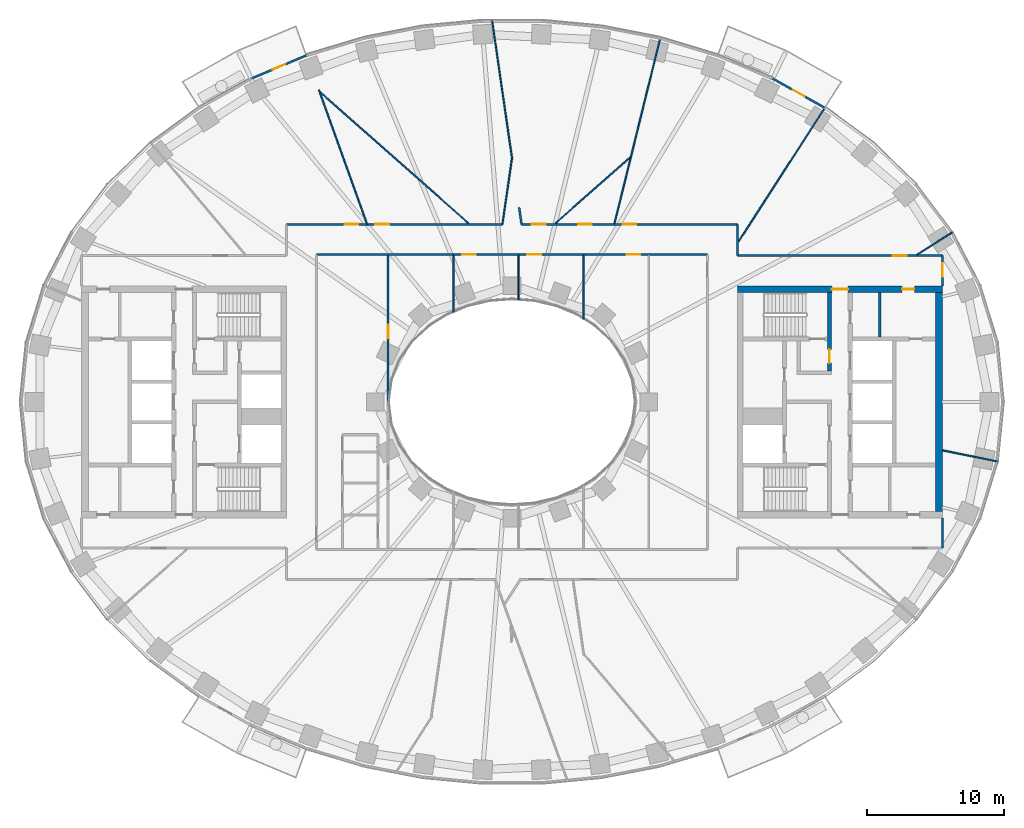
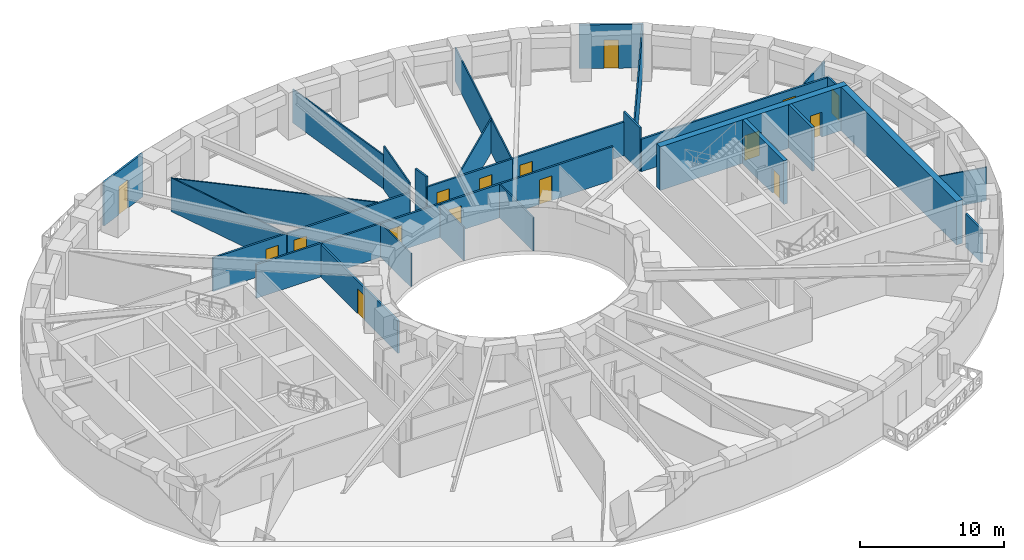
# One storey, part 6 of 15: 29 walls, 16 doors, 16 openings.
"""IFC4 building model written with IfcOpenShell, lengths in metres."""

from ifc_helpers import new_model, si_unit, direction, frame, frame_2d, origin, place, context, subcontext, project, spatial, rectangle, extrude, material, layer, layer_set, type_object, element, fill, save


model = new_model("IFC4")

# Units and contexts
model_context = context("Model", 3, precision=1e-05, world=origin(), true_north=direction((0.0, 1.0)))
body_context = subcontext(model_context, "Body", "Model", "MODEL_VIEW")
ifc_project = project(units=[si_unit("LENGTHUNIT", "METRE"), si_unit("AREAUNIT", "SQUARE_METRE"), si_unit("VOLUMEUNIT", "CUBIC_METRE"), si_unit("PLANEANGLEUNIT", "RADIAN"), si_unit("MASSUNIT", "GRAM", prefix="KILO")], contexts=[model_context])

# Site, building, storey
site_placement = place(None, origin())
site = spatial("IfcSite", under=ifc_project, at=site_placement, CompositionType="ELEMENT")
building_placement = place(site_placement, origin())
building = spatial("IfcBuilding", under=site, at=building_placement, Name="Noorbagh Ring Tower", CompositionType="ELEMENT")
storey_placement = place(building_placement, frame((0.0, 0.0, 62.5)))
storey = spatial("IfcBuildingStorey", under=building, at=storey_placement, Name="L13", CompositionType="ELEMENT", Elevation=62.5)

# Wall
ifc_material_1 = material(Name="Gypsum board on steel studs", Category="steel")
ifc_layer_1 = layer(ifc_material_1, 0.199951171875)
ifc_layer_set_1 = layer_set([ifc_layer_1], Name="Gypsum board on steel studs")
wall_type_1 = type_object("IfcWallType", Name="CORE-PARTITION-200", PredefinedType="PARTITIONING", material=ifc_layer_set_1)
wall_1_placement = place(storey_placement, frame((26.89990234375, 4.75, 0.0), z_axis=(0.0, 0.0, 1.0), x_axis=(0.0, 1.0, 0.0)))
element("IfcWall", 1, at=wall_1_placement, inside=storey, type_object=wall_type_1, Name="Core partition E", PredefinedType="PARTITIONING", context=body_context, shape_type="SweptSolid", body=[
    extrude(rectangle(XDim=3.25, YDim=0.199951171875, at=frame_2d((1.625, 0.0))), origin(), (0.0, 0.0, 1.0), 3.699951171875),
])

# Wall, opening, door
ifc_material_2 = material(Name="Concrete C70/85", Category="concrete")
ifc_layer_2 = layer(ifc_material_2, 0.300048828125)
ifc_layer_set_2 = layer_set([ifc_layer_2], Name="Concrete C70/85")
wall_type_2 = type_object("IfcWallType", Name="CORE-WALL-300-C70-85-EI240", PredefinedType="SHEAR", material=ifc_layer_set_2)
wall_2_placement = place(storey_placement, frame((23.22998046875, 2.25, 0.0), z_axis=(0.0, 0.0, 1.0), x_axis=(0.0, 1.0, 0.0)))
wall_2 = element("IfcWall", 2, at=wall_2_placement, inside=storey, type_object=wall_type_2, Name="Core wall E", PredefinedType="SHEAR", context=body_context, shape_type="SweptSolid", body=[
    extrude(rectangle(XDim=5.75, YDim=0.300048828125, at=frame_2d((2.875, 0.0))), origin(), (0.0, 0.0, 1.0), 3.699951171875),
])
opening_1_placement = place(wall_2_placement, frame((0.60009765625, 0.0, 0.0)))
opening_1 = element("IfcOpeningElement", 3, at=opening_1_placement, cuts=wall_2, Name="Opening L13-CE08", PredefinedType="OPENING", context=body_context, shape_type="SweptSolid", body=[
    extrude(rectangle(XDim=1.0, YDim=2.10009765625, at=frame_2d((0.5, 1.050048828125))), frame((0.0, 0.16015625, 0.0), z_axis=(0.0, -1.0, 0.0), x_axis=(1.0, 0.0, 0.0)), (0.0, 0.0, 1.0), 0.320068359375),
])
ifc_material_3 = material(Name="Steel door leaf", Category="steel")
door_type_1 = type_object("IfcDoorType", Name="CORE-DOOR-DVEST", OperationType="SINGLE_SWING_LEFT", PredefinedType="DOOR", material=ifc_material_3)
door_1_placement = place(opening_1_placement, origin())
door_1 = element("IfcDoor", 4, at=door_1_placement, inside=storey, type_object=door_type_1, Name="Stair vestibule door L13-CE08", OperationType="SINGLE_SWING_RIGHT", OverallHeight=2.10009765625, OverallWidth=1.0, PredefinedType="DOOR", context=body_context, shape_type="SweptSolid", body=[
    extrude(rectangle(XDim=1.0, YDim=2.10009765625, at=frame_2d((0.5, 1.050048828125))), frame((0.0, 0.02490234375, 0.0), z_axis=(0.0, -1.0, 0.0), x_axis=(1.0, 0.0, 0.0)), (0.0, 0.0, 1.0), 0.050048828125),
])
fill(opening_1, door_1)

# Wall, openings, doors
ifc_material_4 = material(Name="Concrete C70/85", Category="concrete")
ifc_layer_3 = layer(ifc_material_4, 0.5)
ifc_layer_set_3 = layer_set([ifc_layer_3], Name="Concrete C70/85")
wall_type_3 = type_object("IfcWallType", Name="CORE-WALL-500-C70-85-EI240", PredefinedType="SHEAR", material=ifc_layer_set_3)
wall_3_placement = place(storey_placement, frame((16.5, 8.25, 0.0), z_axis=(0.0, 0.0, 1.0), x_axis=(1.0, 0.0, 0.0)))
wall_3 = element("IfcWall", 5, at=wall_3_placement, inside=storey, type_object=wall_type_3, Name="Core wall E", PredefinedType="SHEAR", context=body_context, shape_type="SweptSolid", body=[
    extrude(rectangle(XDim=15.0, YDim=0.5, at=frame_2d((7.5, 0.0))), origin(), (0.0, 0.0, 1.0), 3.699951171875),
])
opening_2_placement = place(wall_3_placement, frame((6.89990234375, 0.0, 0.0)))
opening_2 = element("IfcOpeningElement", 6, at=opening_2_placement, cuts=wall_3, Name="Opening L13-CE09", PredefinedType="OPENING", context=body_context, shape_type="SweptSolid", body=[
    extrude(rectangle(XDim=1.199951171875, YDim=2.10009765625, at=frame_2d((0.60009765625, 1.050048828125))), frame((0.0, 0.260009765625, 0.0), z_axis=(0.0, -1.0, 0.0), x_axis=(1.0, 0.0, 0.0)), (0.0, 0.0, 1.0), 0.52001953125),
])
opening_3_placement = place(wall_3_placement, frame((12.050048828125, 0.0, 0.0)))
opening_3 = element("IfcOpeningElement", 7, at=opening_3_placement, cuts=wall_3, Name="Opening L13-CE13", PredefinedType="OPENING", context=body_context, shape_type="SweptSolid", body=[
    extrude(rectangle(XDim=0.89990234375, YDim=2.10009765625, at=frame_2d((0.449951171875, 1.050048828125))), frame((0.0, 0.260009765625, 0.0), z_axis=(0.0, -1.0, 0.0), x_axis=(1.0, 0.0, 0.0)), (0.0, 0.0, 1.0), 0.52001953125),
])
ifc_material_5 = material(Name="Steel door leaf", Category="steel")
door_type_2 = type_object("IfcDoorType", Name="CORE-DOOR-DROOM", OperationType="SINGLE_SWING_LEFT", PredefinedType="DOOR", material=ifc_material_5)
door_2_placement = place(opening_3_placement, origin())
door_2 = element("IfcDoor", 8, at=door_2_placement, inside=storey, type_object=door_type_2, Name="Core room door L13-CE13", OperationType="SINGLE_SWING_LEFT", OverallHeight=2.10009765625, OverallWidth=0.89990234375, PredefinedType="DOOR", context=body_context, shape_type="SweptSolid", body=[
    extrude(rectangle(XDim=0.89990234375, YDim=2.10009765625, at=frame_2d((0.449951171875, 1.050048828125))), frame((0.0, 0.02490234375, 0.0), z_axis=(0.0, -1.0, 0.0), x_axis=(1.0, 0.0, 0.0)), (0.0, 0.0, 1.0), 0.050048828125),
])
fill(opening_3, door_2)
ifc_material_6 = material(Name="Steel door leaf", Category="steel")
door_type_3 = type_object("IfcDoorType", Name="CORE-DOOR-PORT", OperationType="DOUBLE_DOOR_DOUBLE_SWING", PredefinedType="DOOR", material=ifc_material_6)
door_3_placement = place(opening_2_placement, origin())
door_3 = element("IfcDoor", 9, at=door_3_placement, inside=storey, type_object=door_type_3, Name="Core entrance door L13-CE09", OperationType="DOUBLE_DOOR_DOUBLE_SWING", OverallHeight=2.10009765625, OverallWidth=1.199951171875, PredefinedType="DOOR", context=body_context, shape_type="SweptSolid", body=[
    extrude(rectangle(XDim=1.199951171875, YDim=2.10009765625, at=frame_2d((0.60009765625, 1.050048828125))), frame((0.0, 0.02490234375, 0.0), z_axis=(0.0, -1.0, 0.0), x_axis=(1.0, 0.0, 0.0)), (0.0, 0.0, 1.0), 0.050048828125),
])
fill(opening_2, door_3)

# Wall
wall_4_placement = place(storey_placement, frame((31.25, -8.0, 0.0), z_axis=(0.0, 0.0, 1.0), x_axis=(0.0, 1.0, 0.0)))
element("IfcWall", 10, at=wall_4_placement, inside=storey, type_object=wall_type_3, Name="Core wall E", PredefinedType="SHEAR", context=body_context, shape_type="SweptSolid", body=[
    extrude(rectangle(XDim=16.0, YDim=0.5, at=frame_2d((8.0, 0.0))), origin(), (0.0, 0.0, 1.0), 3.699951171875),
])

# Wall, opening, door
ifc_material_7 = material(Name="Gypsum board on steel studs", Category="steel")
ifc_layer_4 = layer(ifc_material_7, 0.14990234375)
ifc_layer_set_4 = layer_set([ifc_layer_4], Name="Gypsum board on steel studs")
wall_type_4 = type_object("IfcWallType", Name="CORRIDOR PARTITION 150 EI 30", PredefinedType="PARTITIONING", material=ifc_layer_set_4)
wall_5_placement = place(storey_placement, frame((-16.5, 13.0, 0.0), z_axis=(0.0, 0.0, 1.0), x_axis=(1.0, 0.0, 0.0)))
wall_5 = element("IfcWall", 11, at=wall_5_placement, inside=storey, type_object=wall_type_4, Name="L13/wall/P11", PredefinedType="PARTITIONING", context=body_context, shape_type="SweptSolid", body=[
    extrude(rectangle(XDim=5.89306640625, YDim=0.14990234375, at=frame_2d((2.946533203125, 0.0))), origin(), (0.0, 0.0, 1.0), 2.85009765625),
])
opening_4_placement = place(wall_5_placement, frame((4.2548828125, 0.0, 0.0)))
opening_4 = element("IfcOpeningElement", 12, at=opening_4_placement, cuts=wall_5, Name="Opening D1", PredefinedType="OPENING", context=body_context, shape_type="SweptSolid", body=[
    extrude(rectangle(XDim=1.0, YDim=2.10009765625, at=frame_2d((0.5, 1.050048828125))), frame((0.0, 0.0849609375, 0.0), z_axis=(0.0, -1.0, 0.0), x_axis=(1.0, 0.0, 0.0)), (0.0, 0.0, 1.0), 0.169921875),
])
ifc_material_8 = material(Name="Timber, painted", Category="wood")
door_type_4 = type_object("IfcDoorType", Name="DOOR 1000 X 2100 FD30", OperationType="SINGLE_SWING_LEFT", PredefinedType="DOOR", material=ifc_material_8)
door_4_placement = place(opening_4_placement, origin())
door_4 = element("IfcDoor", 13, at=door_4_placement, inside=storey, type_object=door_type_4, Name="L13-D09", OperationType="SINGLE_SWING_LEFT", OverallHeight=2.10009765625, OverallWidth=1.0, PredefinedType="DOOR", context=body_context, shape_type="SweptSolid", body=[
    extrude(rectangle(XDim=1.0, YDim=2.10009765625, at=frame_2d((0.5, 1.050048828125))), frame((0.0, 0.02490234375, 0.0), z_axis=(0.0, -1.0, 0.0), x_axis=(1.0, 0.0, 0.0)), (0.0, 0.0, 1.0), 0.050048828125),
])
fill(opening_4, door_4)

# Wall, openings, doors
wall_6_placement = place(storey_placement, frame((-14.300048828125, 10.800048828125, 0.0), z_axis=(0.0, 0.0, 1.0), x_axis=(1.0, 0.0, 0.0)))
wall_6 = element("IfcWall", 14, at=wall_6_placement, inside=storey, type_object=wall_type_4, Name="L13/wall/P14", PredefinedType="PARTITIONING", context=body_context, shape_type="SweptSolid", body=[
    extrude(rectangle(XDim=28.60009765625, YDim=0.14990234375, at=frame_2d((14.300048828125, 0.0))), origin(), (0.0, 0.0, 1.0), 2.85009765625),
])
opening_5_placement = place(wall_6_placement, frame((10.659912109375, 0.0, 0.0)))
opening_5 = element("IfcOpeningElement", 15, at=opening_5_placement, cuts=wall_6, Name="Opening D1", PredefinedType="OPENING", context=body_context, shape_type="SweptSolid", body=[
    extrude(rectangle(XDim=1.0, YDim=2.10009765625, at=frame_2d((0.5, 1.050048828125))), frame((0.0, 0.0849609375, 0.0), z_axis=(0.0, -1.0, 0.0), x_axis=(1.0, 0.0, 0.0)), (0.0, 0.0, 1.0), 0.169921875),
])
opening_6_placement = place(wall_6_placement, frame((15.427001953125, 0.0, 0.0)))
opening_6 = element("IfcOpeningElement", 16, at=opening_6_placement, cuts=wall_6, Name="Opening D1", PredefinedType="OPENING", context=body_context, shape_type="SweptSolid", body=[
    extrude(rectangle(XDim=1.0, YDim=2.10009765625, at=frame_2d((0.5, 1.050048828125))), frame((0.0, 0.0849609375, 0.0), z_axis=(0.0, -1.0, 0.0), x_axis=(1.0, 0.0, 0.0)), (0.0, 0.0, 1.0), 0.169921875),
])
opening_7_placement = place(wall_6_placement, frame((22.693115234375, 0.0, 0.0)))
opening_7 = element("IfcOpeningElement", 17, at=opening_7_placement, cuts=wall_6, Name="Opening D1", PredefinedType="OPENING", context=body_context, shape_type="SweptSolid", body=[
    extrude(rectangle(XDim=1.0, YDim=2.10009765625, at=frame_2d((0.5, 1.050048828125))), frame((0.0, 0.0849609375, 0.0), z_axis=(0.0, -1.0, 0.0), x_axis=(1.0, 0.0, 0.0)), (0.0, 0.0, 1.0), 0.169921875),
])
door_5_placement = place(opening_5_placement, origin())
door_5 = element("IfcDoor", 18, at=door_5_placement, inside=storey, type_object=door_type_4, Name="L13-D23", OperationType="SINGLE_SWING_LEFT", OverallHeight=2.10009765625, OverallWidth=1.0, PredefinedType="DOOR", context=body_context, shape_type="SweptSolid", body=[
    extrude(rectangle(XDim=1.0, YDim=2.10009765625, at=frame_2d((0.5, 1.050048828125))), frame((0.0, 0.02490234375, 0.0), z_axis=(0.0, -1.0, 0.0), x_axis=(1.0, 0.0, 0.0)), (0.0, 0.0, 1.0), 0.050048828125),
])
fill(opening_5, door_5)
door_6_placement = place(opening_6_placement, origin())
door_6 = element("IfcDoor", 19, at=door_6_placement, inside=storey, type_object=door_type_4, Name="L13-D25", OperationType="SINGLE_SWING_LEFT", OverallHeight=2.10009765625, OverallWidth=1.0, PredefinedType="DOOR", context=body_context, shape_type="SweptSolid", body=[
    extrude(rectangle(XDim=1.0, YDim=2.10009765625, at=frame_2d((0.5, 1.050048828125))), frame((0.0, 0.02490234375, 0.0), z_axis=(0.0, -1.0, 0.0), x_axis=(1.0, 0.0, 0.0)), (0.0, 0.0, 1.0), 0.050048828125),
])
fill(opening_6, door_6)
door_7_placement = place(opening_7_placement, origin())
door_7 = element("IfcDoor", 20, at=door_7_placement, inside=storey, type_object=door_type_4, Name="L13-D26", OperationType="SINGLE_SWING_RIGHT", OverallHeight=2.10009765625, OverallWidth=1.0, PredefinedType="DOOR", context=body_context, shape_type="SweptSolid", body=[
    extrude(rectangle(XDim=1.0, YDim=2.10009765625, at=frame_2d((0.5, 1.050048828125))), frame((0.0, 0.02490234375, 0.0), z_axis=(0.0, -1.0, 0.0), x_axis=(1.0, 0.0, 0.0)), (0.0, 0.0, 1.0), 0.050048828125),
])
fill(opening_7, door_7)

# Wall, opening, door
wall_7_placement = place(storey_placement, frame((-10.5419921875, 13.0, 0.0), z_axis=(0.0, 0.0, 1.0), x_axis=(1.0, 0.0, 0.0)))
wall_7 = element("IfcWall", 21, at=wall_7_placement, inside=storey, type_object=wall_type_4, Name="L13/wall/P23", PredefinedType="PARTITIONING", context=body_context, shape_type="SweptSolid", body=[
    extrude(rectangle(XDim=9.842041015625, YDim=0.14990234375, at=frame_2d((4.9208984375, 0.0))), origin(), (0.0, 0.0, 1.0), 2.85009765625),
])
opening_8_placement = place(wall_7_placement, frame((0.54296875, 0.0, 0.0)))
opening_8 = element("IfcOpeningElement", 22, at=opening_8_placement, cuts=wall_7, Name="Opening D1", PredefinedType="OPENING", context=body_context, shape_type="SweptSolid", body=[
    extrude(rectangle(XDim=1.0, YDim=2.10009765625, at=frame_2d((0.5, 1.050048828125))), frame((0.0, 0.0849609375, 0.0), z_axis=(0.0, -1.0, 0.0), x_axis=(1.0, 0.0, 0.0)), (0.0, 0.0, 1.0), 0.169921875),
])
door_8_placement = place(opening_8_placement, origin())
door_8 = element("IfcDoor", 23, at=door_8_placement, inside=storey, type_object=door_type_4, Name="L13-D10", OperationType="SINGLE_SWING_RIGHT", OverallHeight=2.10009765625, OverallWidth=1.0, PredefinedType="DOOR", context=body_context, shape_type="SweptSolid", body=[
    extrude(rectangle(XDim=1.0, YDim=2.10009765625, at=frame_2d((0.5, 1.050048828125))), frame((0.0, 0.02490234375, 0.0), z_axis=(0.0, -1.0, 0.0), x_axis=(1.0, 0.0, 0.0)), (0.0, 0.0, 1.0), 0.050048828125),
])
fill(opening_8, door_8)

wall_8_placement = place(storey_placement, frame((-9.056884765625, 0.044921875, 0.0), z_axis=(0.0, 0.0, 1.0), x_axis=(0.0, 1.0, 0.0)))
wall_8 = element("IfcWall", 24, at=wall_8_placement, inside=storey, type_object=wall_type_4, Name="L13/wall/P27", PredefinedType="PARTITIONING", context=body_context, shape_type="SweptSolid", body=[
    extrude(rectangle(XDim=10.68017578125, YDim=0.14990234375, at=frame_2d((5.340087890625, 0.0))), origin(), (0.0, 0.0, 1.0), 2.75),
])
opening_9_placement = place(wall_8_placement, frame((4.610107421875, 0.0, 0.0)))
opening_9 = element("IfcOpeningElement", 25, at=opening_9_placement, cuts=wall_8, Name="Opening D1", PredefinedType="OPENING", context=body_context, shape_type="SweptSolid", body=[
    extrude(rectangle(XDim=1.0, YDim=2.10009765625, at=frame_2d((0.5, 1.050048828125))), frame((0.0, 0.0849609375, 0.0), z_axis=(0.0, -1.0, 0.0), x_axis=(1.0, 0.0, 0.0)), (0.0, 0.0, 1.0), 0.169921875),
])
door_9_placement = place(opening_9_placement, origin())
door_9 = element("IfcDoor", 26, at=door_9_placement, inside=storey, type_object=door_type_4, Name="L13-D21", OperationType="SINGLE_SWING_LEFT", OverallHeight=2.10009765625, OverallWidth=1.0, PredefinedType="DOOR", context=body_context, shape_type="SweptSolid", body=[
    extrude(rectangle(XDim=1.0, YDim=2.10009765625, at=frame_2d((0.5, 1.050048828125))), frame((0.0, 0.02490234375, 0.0), z_axis=(0.0, -1.0, 0.0), x_axis=(1.0, 0.0, 0.0)), (0.0, 0.0, 1.0), 0.050048828125),
])
fill(opening_9, door_9)

# Wall
wall_9_placement = place(storey_placement, frame((0.52099609375, 14.239990234375, 0.0), z_axis=(0.0, 0.0, 1.0), x_axis=(0.142516043205, -0.989792492106, 0.0)))
element("IfcWall", 27, at=wall_9_placement, inside=storey, type_object=wall_type_4, Name="L13/wall/P42", PredefinedType="PARTITIONING", context=body_context, shape_type="SweptSolid", body=[
    extrude(rectangle(XDim=1.248779296875, YDim=0.14990234375, at=frame_2d((0.62451171875, 0.0))), origin(), (0.0, 0.0, 1.0), 3.699951171875),
])

# Wall, openings, doors
wall_10_placement = place(storey_placement, frame((0.699951171875, 13.0, 0.0), z_axis=(0.0, 0.0, 1.0), x_axis=(1.0, 0.0, 0.0)))
wall_10 = element("IfcWall", 28, at=wall_10_placement, inside=storey, type_object=wall_type_4, Name="L13/wall/P44", PredefinedType="PARTITIONING", context=body_context, shape_type="SweptSolid", body=[
    extrude(rectangle(XDim=6.782958984375, YDim=0.14990234375, at=frame_2d((3.3916015625, 0.0))), origin(), (0.0, 0.0, 1.0), 2.85009765625),
])
opening_10_placement = place(wall_10_placement, frame((0.75390625, 0.0, 0.0)))
opening_10 = element("IfcOpeningElement", 29, at=opening_10_placement, cuts=wall_10, Name="Opening D1", PredefinedType="OPENING", context=body_context, shape_type="SweptSolid", body=[
    extrude(rectangle(XDim=1.0, YDim=2.10009765625, at=frame_2d((0.5, 1.050048828125))), frame((0.0, 0.0849609375, 0.0), z_axis=(0.0, -1.0, 0.0), x_axis=(1.0, 0.0, 0.0)), (0.0, 0.0, 1.0), 0.169921875),
])
opening_11_placement = place(wall_10_placement, frame((4.14892578125, 0.0, 0.0)))
opening_11 = element("IfcOpeningElement", 30, at=opening_11_placement, cuts=wall_10, Name="Opening D1", PredefinedType="OPENING", context=body_context, shape_type="SweptSolid", body=[
    extrude(rectangle(XDim=1.0, YDim=2.10009765625, at=frame_2d((0.5, 1.050048828125))), frame((0.0, 0.0849609375, 0.0), z_axis=(0.0, -1.0, 0.0), x_axis=(1.0, 0.0, 0.0)), (0.0, 0.0, 1.0), 0.169921875),
])
door_10_placement = place(opening_10_placement, origin())
door_10 = element("IfcDoor", 31, at=door_10_placement, inside=storey, type_object=door_type_4, Name="L13-D12", OperationType="SINGLE_SWING_RIGHT", OverallHeight=2.10009765625, OverallWidth=1.0, PredefinedType="DOOR", context=body_context, shape_type="SweptSolid", body=[
    extrude(rectangle(XDim=1.0, YDim=2.10009765625, at=frame_2d((0.5, 1.050048828125))), frame((0.0, 0.02490234375, 0.0), z_axis=(0.0, -1.0, 0.0), x_axis=(1.0, 0.0, 0.0)), (0.0, 0.0, 1.0), 0.050048828125),
])
fill(opening_10, door_10)
door_11_placement = place(opening_11_placement, origin())
door_11 = element("IfcDoor", 32, at=door_11_placement, inside=storey, type_object=door_type_4, Name="L13-D14", OperationType="SINGLE_SWING_RIGHT", OverallHeight=2.10009765625, OverallWidth=1.0, PredefinedType="DOOR", context=body_context, shape_type="SweptSolid", body=[
    extrude(rectangle(XDim=1.0, YDim=2.10009765625, at=frame_2d((0.5, 1.050048828125))), frame((0.0, 0.02490234375, 0.0), z_axis=(0.0, -1.0, 0.0), x_axis=(1.0, 0.0, 0.0)), (0.0, 0.0, 1.0), 0.050048828125),
])
fill(opening_11, door_11)

# Wall, opening, door
wall_11_placement = place(storey_placement, frame((7.4990234375, 13.0, 0.0), z_axis=(0.0, 0.0, 1.0), x_axis=(1.0, 0.0, 0.0)))
wall_11 = element("IfcWall", 33, at=wall_11_placement, inside=storey, type_object=wall_type_4, Name="L13/wall/P52", PredefinedType="PARTITIONING", context=body_context, shape_type="SweptSolid", body=[
    extrude(rectangle(XDim=9.0009765625, YDim=0.14990234375, at=frame_2d((4.50048828125, 0.0))), origin(), (0.0, 0.0, 1.0), 2.85009765625),
])
opening_12_placement = place(wall_11_placement, frame((0.60107421875, 0.0, 0.0)))
opening_12 = element("IfcOpeningElement", 34, at=opening_12_placement, cuts=wall_11, Name="Opening D1", PredefinedType="OPENING", context=body_context, shape_type="SweptSolid", body=[
    extrude(rectangle(XDim=1.0, YDim=2.10009765625, at=frame_2d((0.5, 1.050048828125))), frame((0.0, 0.0849609375, 0.0), z_axis=(0.0, -1.0, 0.0), x_axis=(1.0, 0.0, 0.0)), (0.0, 0.0, 1.0), 0.169921875),
])
door_12_placement = place(opening_12_placement, origin())
door_12 = element("IfcDoor", 35, at=door_12_placement, inside=storey, type_object=door_type_4, Name="L13-D16", OperationType="SINGLE_SWING_RIGHT", OverallHeight=2.10009765625, OverallWidth=1.0, PredefinedType="DOOR", context=body_context, shape_type="SweptSolid", body=[
    extrude(rectangle(XDim=1.0, YDim=2.10009765625, at=frame_2d((0.5, 1.050048828125))), frame((0.0, 0.02490234375, 0.0), z_axis=(0.0, -1.0, 0.0), x_axis=(1.0, 0.0, 0.0)), (0.0, 0.0, 1.0), 0.050048828125),
])
fill(opening_12, door_12)

# Wall
wall_12_placement = place(storey_placement, frame((16.5, 10.699951171875, 0.0), z_axis=(0.0, 0.0, 1.0), x_axis=(0.0, 1.0, 0.0)))
element("IfcWall", 36, at=wall_12_placement, inside=storey, type_object=wall_type_4, Name="L13/wall/P57", PredefinedType="PARTITIONING", context=body_context, shape_type="SweptSolid", body=[
    extrude(rectangle(XDim=2.300048828125, YDim=0.14990234375, at=frame_2d((1.14990234375, 0.0))), origin(), (0.0, 0.0, 1.0), 3.699951171875),
])

# Wall, opening, door
wall_13_placement = place(storey_placement, frame((16.5, 10.699951171875, 0.0), z_axis=(0.0, 0.0, 1.0), x_axis=(1.0, 0.0, 0.0)))
wall_13 = element("IfcWall", 37, at=wall_13_placement, inside=storey, type_object=wall_type_4, Name="L13/wall/P58", PredefinedType="PARTITIONING", context=body_context, shape_type="SweptSolid", body=[
    extrude(rectangle(XDim=15.0, YDim=0.14990234375, at=frame_2d((7.5, 0.0))), origin(), (0.0, 0.0, 1.0), 2.75),
])
opening_13_placement = place(wall_13_placement, frame((11.37109375, 0.0, 0.0)))
opening_13 = element("IfcOpeningElement", 38, at=opening_13_placement, cuts=wall_13, Name="Opening D1", PredefinedType="OPENING", context=body_context, shape_type="SweptSolid", body=[
    extrude(rectangle(XDim=1.0, YDim=2.10009765625, at=frame_2d((0.5, 1.050048828125))), frame((0.0, 0.0849609375, 0.0), z_axis=(0.0, -1.0, 0.0), x_axis=(1.0, 0.0, 0.0)), (0.0, 0.0, 1.0), 0.169921875),
])
door_13_placement = place(opening_13_placement, origin())
door_13 = element("IfcDoor", 39, at=door_13_placement, inside=storey, type_object=door_type_4, Name="L13-D17", OperationType="SINGLE_SWING_LEFT", OverallHeight=2.10009765625, OverallWidth=1.0, PredefinedType="DOOR", context=body_context, shape_type="SweptSolid", body=[
    extrude(rectangle(XDim=1.0, YDim=2.10009765625, at=frame_2d((0.5, 1.050048828125))), frame((0.0, 0.02490234375, 0.0), z_axis=(0.0, -1.0, 0.0), x_axis=(1.0, 0.0, 0.0)), (0.0, 0.0, 1.0), 0.050048828125),
])
fill(opening_13, door_13)

# Wall
wall_14_placement = place(storey_placement, frame((31.5, -10.699951171875, 0.0), z_axis=(0.0, 0.0, 1.0), x_axis=(0.0, 1.0, 0.0)))
element("IfcWall", 40, at=wall_14_placement, inside=storey, type_object=wall_type_4, Name="L13/wall/P62", PredefinedType="PARTITIONING", context=body_context, shape_type="SweptSolid", body=[
    extrude(rectangle(XDim=2.199951171875, YDim=0.14990234375, at=frame_2d((1.10009765625, 0.0))), origin(), (0.0, 0.0, 1.0), 2.85009765625),
])

# Wall, opening, door
wall_15_placement = place(storey_placement, frame((31.5, 8.5, 0.0), z_axis=(0.0, 0.0, 1.0), x_axis=(0.0, 1.0, 0.0)))
wall_15 = element("IfcWall", 41, at=wall_15_placement, inside=storey, type_object=wall_type_4, Name="L13/wall/P64", PredefinedType="PARTITIONING", context=body_context, shape_type="SweptSolid", body=[
    extrude(rectangle(XDim=2.199951171875, YDim=0.14990234375, at=frame_2d((1.10009765625, 0.0))), origin(), (0.0, 0.0, 1.0), 2.85009765625),
])
opening_14_placement = place(wall_15_placement, frame((0.64990234375, 0.0, 0.0)))
opening_14 = element("IfcOpeningElement", 42, at=opening_14_placement, cuts=wall_15, Name="Opening D1", PredefinedType="OPENING", context=body_context, shape_type="SweptSolid", body=[
    extrude(rectangle(XDim=1.0, YDim=2.10009765625, at=frame_2d((0.5, 1.050048828125))), frame((0.0, 0.0849609375, 0.0), z_axis=(0.0, -1.0, 0.0), x_axis=(1.0, 0.0, 0.0)), (0.0, 0.0, 1.0), 0.169921875),
])
door_14_placement = place(opening_14_placement, origin())
door_14 = element("IfcDoor", 43, at=door_14_placement, inside=storey, type_object=door_type_4, Name="L13-D19", OperationType="SINGLE_SWING_LEFT", OverallHeight=2.10009765625, OverallWidth=1.0, PredefinedType="DOOR", context=body_context, shape_type="SweptSolid", body=[
    extrude(rectangle(XDim=1.0, YDim=2.10009765625, at=frame_2d((0.5, 1.050048828125))), frame((0.0, 0.02490234375, 0.0), z_axis=(0.0, -1.0, 0.0), x_axis=(1.0, 0.0, 0.0)), (0.0, 0.0, 1.0), 0.050048828125),
])
fill(opening_14, door_14)

ifc_material_9 = material(Name="Insulated aluminium clad panel", Category="aluminium")
ifc_layer_5 = layer(ifc_material_9, 0.14990234375)
ifc_layer_set_5 = layer_set([ifc_layer_5], Name="Insulated aluminium clad panel")
wall_type_5 = type_object("IfcWallType", Name="ENV-WALL-DOOR", PredefinedType="STANDARD", material=ifc_layer_set_5)
wall_16_placement = place(storey_placement, frame((22.913330078125, 21.508544921875, 0.0), z_axis=(0.0, 0.0, 1.0), x_axis=(-0.872046572975, 0.489422899509, 0.0)))
wall_16 = element("IfcWall", 44, at=wall_16_placement, inside=storey, type_object=wall_type_5, Name="Balcony door wall chord 07", PredefinedType="STANDARD", context=body_context, shape_type="SweptSolid", body=[
    extrude(rectangle(XDim=4.425537109375, YDim=0.14990234375, at=frame_2d((2.212890625, 0.0))), origin(), (0.0, 0.0, 1.0), 3.699951171875),
])
opening_15_placement = place(wall_16_placement, frame((1.712646484375, 0.0, 0.0)))
opening_15 = element("IfcOpeningElement", 45, at=opening_15_placement, cuts=wall_16, Name="Opening D-BL", PredefinedType="OPENING", context=body_context, shape_type="SweptSolid", body=[
    extrude(rectangle(XDim=1.0, YDim=2.39990234375, at=frame_2d((0.5, 1.199951171875))), frame((0.0, 0.0849609375, 0.0), z_axis=(0.0, -1.0, 0.0), x_axis=(1.0, 0.0, 0.0)), (0.0, 0.0, 1.0), 0.169921875),
])
ifc_material_10 = material(Name="Aluminium and glass", Category="aluminium")
door_type_5 = type_object("IfcDoorType", Name="ENV-DOOR-BALCONY", OperationType="SINGLE_SWING_LEFT", PredefinedType="DOOR", material=ifc_material_10)
door_15_placement = place(opening_15_placement, origin())
door_15 = element("IfcDoor", 46, at=door_15_placement, inside=storey, type_object=door_type_5, Name="Balcony door chord 07", OperationType="SINGLE_SWING_RIGHT", OverallHeight=2.39990234375, OverallWidth=1.0, PredefinedType="DOOR", context=body_context, shape_type="SweptSolid", body=[
    extrude(rectangle(XDim=1.0, YDim=2.39990234375, at=frame_2d((0.5, 1.199951171875))), frame((0.0, 0.02490234375, 0.0), z_axis=(0.0, -1.0, 0.0), x_axis=(1.0, 0.0, 0.0)), (0.0, 0.0, 1.0), 0.050048828125),
])
fill(opening_15, door_15)

wall_17_placement = place(storey_placement, frame((-15.017822265625, 25.368896484375, 0.0), z_axis=(0.0, 0.0, 1.0), x_axis=(-0.921816985161, -0.387625393736, 0.0)))
wall_17 = element("IfcWall", 47, at=wall_17_placement, inside=storey, type_object=wall_type_5, Name="Balcony door wall chord 16", PredefinedType="STANDARD", context=body_context, shape_type="SweptSolid", body=[
    extrude(rectangle(XDim=4.42578125, YDim=0.14990234375, at=frame_2d((2.212890625, 0.0))), origin(), (0.0, 0.0, 1.0), 3.699951171875),
])
opening_16_placement = place(wall_17_placement, frame((1.712890625, 0.0, 0.0)))
opening_16 = element("IfcOpeningElement", 48, at=opening_16_placement, cuts=wall_17, Name="Opening D-BL", PredefinedType="OPENING", context=body_context, shape_type="SweptSolid", body=[
    extrude(rectangle(XDim=1.0, YDim=2.39990234375, at=frame_2d((0.5, 1.199951171875))), frame((0.0, 0.0849609375, 0.0), z_axis=(0.0, -1.0, 0.0), x_axis=(1.0, 0.0, 0.0)), (0.0, 0.0, 1.0), 0.169921875),
])
door_16_placement = place(opening_16_placement, origin())
door_16 = element("IfcDoor", 49, at=door_16_placement, inside=storey, type_object=door_type_5, Name="Balcony door chord 16", OperationType="SINGLE_SWING_RIGHT", OverallHeight=2.39990234375, OverallWidth=1.0, PredefinedType="DOOR", context=body_context, shape_type="SweptSolid", body=[
    extrude(rectangle(XDim=1.0, YDim=2.39990234375, at=frame_2d((0.5, 1.199951171875))), frame((0.0, 0.02490234375, 0.0), z_axis=(0.0, -1.0, 0.0), x_axis=(1.0, 0.0, 0.0)), (0.0, 0.0, 1.0), 0.050048828125),
])
fill(opening_16, door_16)

# Walls
ifc_material_11 = material(Name="Gypsum board on steel studs", Category="steel")
ifc_layer_6 = layer(ifc_material_11, 0.10009765625)
ifc_layer_set_6 = layer_set([ifc_layer_6], Name="Gypsum board on steel studs")
wall_type_6 = type_object("IfcWallType", Name="PARTITION 100 GYPSUM", PredefinedType="PARTITIONING", material=ifc_layer_set_6)
wall_18_placement = place(storey_placement, frame((-14.126953125, 22.821044921875, 0.0), z_axis=(0.0, 0.0, 1.0), x_axis=(0.338406243201, -0.941000114008, 0.0)))
element("IfcWall", 50, at=wall_18_placement, inside=storey, type_object=wall_type_6, Name="L13/wall/P15", PredefinedType="PARTITIONING", context=body_context, shape_type="SweptSolid", body=[
    extrude(rectangle(XDim=10.516357421875, YDim=0.10009765625, at=frame_2d((5.25830078125, 0.0))), origin(), (0.0, 0.0, 1.0), 2.85009765625),
])
wall_19_placement = place(storey_placement, frame((-14.013916015625, 22.654052734375, 0.0), z_axis=(0.0, 0.0, 1.0), x_axis=(0.749047176019, -0.662516662506, 0.0)))
element("IfcWall", 51, at=wall_19_placement, inside=storey, type_object=wall_type_6, Name="L13/wall/P16", PredefinedType="PARTITIONING", context=body_context, shape_type="SweptSolid", body=[
    extrude(rectangle(XDim=14.454345703125, YDim=0.10009765625, at=frame_2d((7.22705078125, 0.0))), origin(), (0.0, 0.0, 1.0), 2.85009765625),
])
wall_20_placement = place(storey_placement, frame((-4.2900390625, 6.568115234375, 0.0), z_axis=(0.0, 0.0, 1.0), x_axis=(0.0, 1.0, 0.0)))
element("IfcWall", 52, at=wall_20_placement, inside=storey, type_object=wall_type_6, Name="L13/wall/P32", PredefinedType="PARTITIONING", context=body_context, shape_type="SweptSolid", body=[
    extrude(rectangle(XDim=4.156982421875, YDim=0.10009765625, at=frame_2d((2.07861328125, 0.0))), origin(), (0.0, 0.0, 1.0), 2.85009765625),
])
wall_21_placement = place(storey_placement, frame((-1.452880859375, 27.89404296875, 0.0), z_axis=(0.0, 0.0, 1.0), x_axis=(0.143027592995, -0.989718701269, 0.0)))
element("IfcWall", 53, at=wall_21_placement, inside=storey, type_object=wall_type_6, Name="L13/wall/P33", PredefinedType="PARTITIONING", context=body_context, shape_type="SweptSolid", body=[
    extrude(rectangle(XDim=10.298095703125, YDim=0.10009765625, at=frame_2d((5.14892578125, 0.0))), origin(), (0.0, 0.0, 1.0), 2.85009765625),
])
wall_22_placement = place(storey_placement, frame((-0.699951171875, 13.00390625, 0.0), z_axis=(0.0, 0.0, 1.0), x_axis=(0.143235607816, 0.989688618028, 0.0)))
element("IfcWall", 54, at=wall_22_placement, inside=storey, type_object=wall_type_6, Name="L13/wall/P36", PredefinedType="PARTITIONING", context=body_context, shape_type="SweptSolid", body=[
    extrude(rectangle(XDim=4.746826171875, YDim=0.10009765625, at=frame_2d((2.37353515625, 0.0))), origin(), (0.0, 0.0, 1.0), 3.699951171875),
])
wall_23_placement = place(storey_placement, frame((0.47705078125, 7.468017578125, 0.0), z_axis=(0.0, 0.0, 1.0), x_axis=(0.0, 1.0, 0.0)))
element("IfcWall", 55, at=wall_23_placement, inside=storey, type_object=wall_type_6, Name="L13/wall/P41", PredefinedType="PARTITIONING", context=body_context, shape_type="SweptSolid", body=[
    extrude(rectangle(XDim=3.257080078125, YDim=0.10009765625, at=frame_2d((1.62841796875, 0.0))), origin(), (0.0, 0.0, 1.0), 2.85009765625),
])
wall_24_placement = place(storey_placement, frame((3.18701171875, 13.077880859375, 0.0), z_axis=(0.0, 0.0, 1.0), x_axis=(0.749027274438, 0.662539162728, 0.0)))
element("IfcWall", 56, at=wall_24_placement, inside=storey, type_object=wall_type_6, Name="L13/wall/P45", PredefinedType="PARTITIONING", context=body_context, shape_type="SweptSolid", body=[
    extrude(rectangle(XDim=7.282958984375, YDim=0.10009765625, at=frame_2d((3.6416015625, 0.0))), origin(), (0.0, 0.0, 1.0), 2.85009765625),
])
wall_25_placement = place(storey_placement, frame((5.242919921875, 6.05908203125, 0.0), z_axis=(0.0, 0.0, 1.0), x_axis=(0.0, 1.0, 0.0)))
element("IfcWall", 57, at=wall_25_placement, inside=storey, type_object=wall_type_6, Name="L13/wall/P49", PredefinedType="PARTITIONING", context=body_context, shape_type="SweptSolid", body=[
    extrude(rectangle(XDim=4.666015625, YDim=0.10009765625, at=frame_2d((2.3330078125, 0.0))), origin(), (0.0, 0.0, 1.0), 2.85009765625),
])
wall_26_placement = place(storey_placement, frame((7.48291015625, 13.0, 0.0), z_axis=(0.0, 0.0, 1.0), x_axis=(0.239763745499, 0.97083126564, 0.0)))
element("IfcWall", 58, at=wall_26_placement, inside=storey, type_object=wall_type_6, Name="L13/wall/P51", PredefinedType="PARTITIONING", context=body_context, shape_type="SweptSolid", body=[
    extrude(rectangle(XDim=14.055908203125, YDim=0.10009765625, at=frame_2d((7.02783203125, 0.0))), origin(), (0.0, 0.0, 1.0), 2.85009765625),
])
wall_27_placement = place(storey_placement, frame((16.574951171875, 11.73291015625, 0.0), z_axis=(0.0, 0.0, 1.0), x_axis=(0.54222594427, 0.840232720953, 0.0)))
element("IfcWall", 59, at=wall_27_placement, inside=storey, type_object=wall_type_6, Name="L13/wall/P59", PredefinedType="PARTITIONING", context=body_context, shape_type="SweptSolid", body=[
    extrude(rectangle(XDim=11.67431640625, YDim=0.10009765625, at=frame_2d((5.837158203125, 0.0))), origin(), (0.0, 0.0, 1.0), 3.699951171875),
])
wall_28_placement = place(storey_placement, frame((29.636962890625, 10.777099609375, 0.0), z_axis=(0.0, 0.0, 1.0), x_axis=(0.844810627195, 0.535065420467, 0.0)))
element("IfcWall", 60, at=wall_28_placement, inside=storey, type_object=wall_type_6, Name="L13/wall/P61", PredefinedType="PARTITIONING", context=body_context, shape_type="SweptSolid", body=[
    extrude(rectangle(XDim=3.0478515625, YDim=0.10009765625, at=frame_2d((1.52392578125, 0.0))), origin(), (0.0, 0.0, 1.0), 2.85009765625),
])
wall_29_placement = place(storey_placement, frame((31.5, -3.5419921875, 0.0), z_axis=(0.0, 0.0, 1.0), x_axis=(0.980357474535, -0.197228857227, 0.0)))
element("IfcWall", 61, at=wall_29_placement, inside=storey, type_object=wall_type_6, Name="L13/wall/P63", PredefinedType="PARTITIONING", context=body_context, shape_type="SweptSolid", body=[
    extrude(rectangle(XDim=4.09228515625, YDim=0.10009765625, at=frame_2d((2.046142578125, 0.0))), origin(), (0.0, 0.0, 1.0), 2.85009765625),
])

save(model, "model.ifc")
